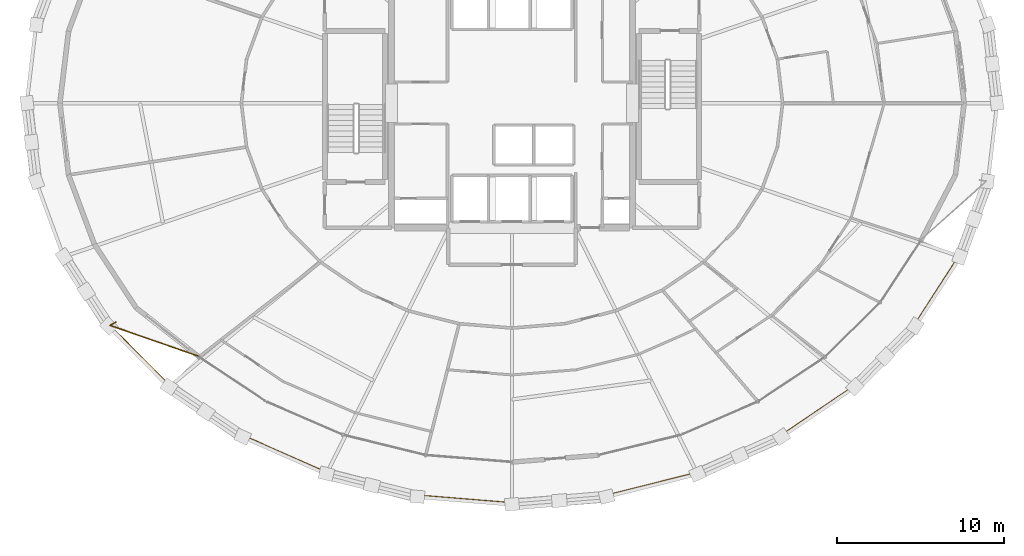
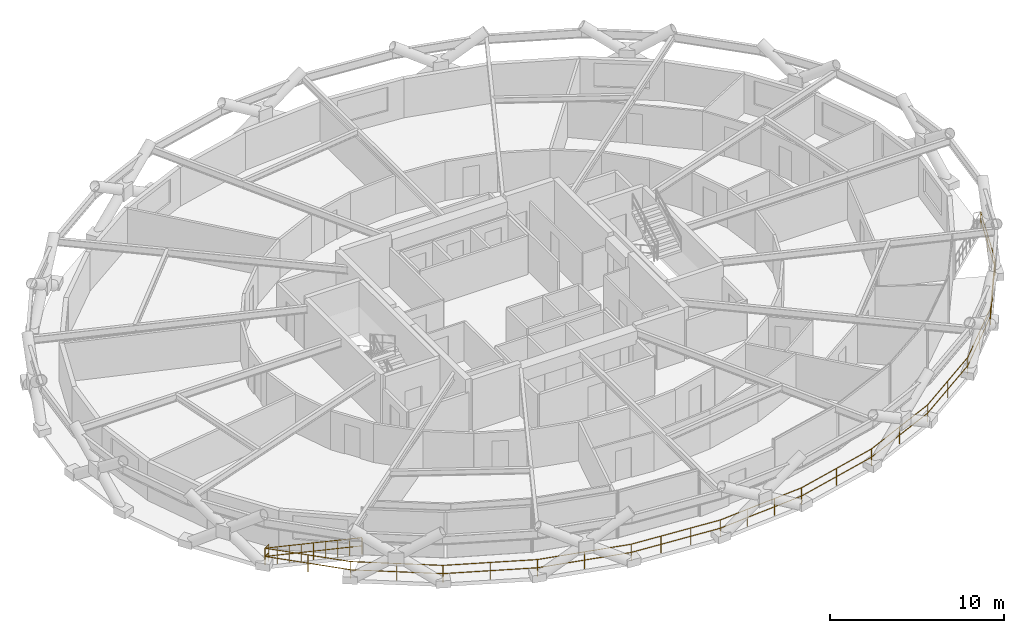
# One storey, part 20 of 21: 2 railings.
"""IFC4 building model written with IfcOpenShell, lengths in metres."""

from ifc_helpers import new_model, si_unit, direction, frame, origin, origin_2d, place, context, subcontext, project, spatial, circle, extrude, material, type_object, element, save


model = new_model("IFC4")

# Units and contexts
model_context = context("Model", 3, precision=1e-05, world=origin(), true_north=direction((0.0, 1.0)))
body_context = subcontext(model_context, "Body", "Model", "MODEL_VIEW")
ifc_project = project(units=[si_unit("LENGTHUNIT", "METRE"), si_unit("AREAUNIT", "SQUARE_METRE"), si_unit("VOLUMEUNIT", "CUBIC_METRE"), si_unit("PLANEANGLEUNIT", "RADIAN"), si_unit("MASSUNIT", "GRAM", prefix="KILO")], contexts=[model_context])

# Site, building, storey
site_placement = place(None, origin())
site = spatial("IfcSite", under=ifc_project, at=site_placement, CompositionType="ELEMENT")
building_placement = place(site_placement, origin())
building = spatial("IfcBuilding", under=site, at=building_placement, Name="Veldorina Hangang Commons", CompositionType="ELEMENT")
storey_placement = place(building_placement, frame((0.0, 0.0, 73.60009765625)))
storey = spatial("IfcBuildingStorey", under=building, at=storey_placement, Name="L18", CompositionType="ELEMENT", Elevation=73.60009765625)

# Railings
ifc_material = material(Name="Glass Laminated Safety Balustrade", Category="glass")
railing_type = type_object("IfcRailingType", Name="RL-BAL-LOGGIA", PredefinedType="BALUSTRADE", material=ifc_material)
railing_1_placement = place(storey_placement, frame((8.356201171875, 10.92919921875, 0.0)))
element("IfcRailing", 1, at=railing_1_placement, inside=storey, type_object=railing_type, Name="L18 sky-garden loggia end balustrade A", PredefinedType="BALUSTRADE", context=body_context, shape_type="SweptSolid", body=[
    extrude(circle(Radius=0.02392578125, at=origin_2d()), frame((0.0, 0.0, 1.17578125), z_axis=(-0.875060223601, -0.484014054621, 0.0), x_axis=(0.484014054621, -0.875060223601, 0.0)), (0.0, 0.0, 1.0), 0.420166015625),
    extrude(circle(Radius=0.02392578125, at=origin_2d()), frame((0.0, 0.0, 0.60009765625), z_axis=(-0.875060223601, -0.484014054621, 0.0), x_axis=(0.484014054621, -0.875060223601, 0.0)), (0.0, 0.0, 1.0), 0.420166015625),
    extrude(circle(Radius=0.02392578125, at=origin_2d()), frame((-0.36767578125, -0.203369140625, 1.17578125), z_axis=(0.944295286815, -0.329099394254, 0.0), x_axis=(0.329099394254, 0.944295286815, 0.0)), (0.0, 0.0, 1.0), 5.66015625),
    extrude(circle(Radius=0.02392578125, at=origin_2d()), frame((-0.36767578125, -0.203369140625, 0.60009765625), z_axis=(0.944295286815, -0.329099394254, 0.0), x_axis=(0.329099394254, 0.944295286815, 0.0)), (0.0, 0.0, 1.0), 5.66015625),
    extrude(circle(Radius=0.02099609375, at=origin_2d()), origin(), (0.0, 0.0, 1.0), 1.15185546875),
    extrude(circle(Radius=0.02099609375, at=origin_2d()), frame((-0.36767578125, -0.203369140625, 0.0)), (0.0, 0.0, 1.0), 1.15185546875),
    extrude(circle(Radius=0.02099609375, at=origin_2d()), frame((0.300537109375, -0.436279296875, 0.0)), (0.0, 0.0, 1.0), 1.15185546875),
    extrude(circle(Radius=0.02099609375, at=origin_2d()), frame((0.968505859375, -0.6689453125, 0.0)), (0.0, 0.0, 1.0), 1.15185546875),
    extrude(circle(Radius=0.02099609375, at=origin_2d()), frame((1.63671875, -0.90185546875, 0.0)), (0.0, 0.0, 1.0), 1.15185546875),
    extrude(circle(Radius=0.02099609375, at=origin_2d()), frame((2.3046875, -1.134765625, 0.0)), (0.0, 0.0, 1.0), 1.15185546875),
    extrude(circle(Radius=0.02099609375, at=origin_2d()), frame((2.972900390625, -1.36767578125, 0.0)), (0.0, 0.0, 1.0), 1.15185546875),
    extrude(circle(Radius=0.02099609375, at=origin_2d()), frame((3.64111328125, -1.6005859375, 0.0)), (0.0, 0.0, 1.0), 1.15185546875),
    extrude(circle(Radius=0.02099609375, at=origin_2d()), frame((4.30908203125, -1.833251953125, 0.0)), (0.0, 0.0, 1.0), 1.15185546875),
    extrude(circle(Radius=0.02099609375, at=origin_2d()), frame((4.977294921875, -2.066162109375, 0.0)), (0.0, 0.0, 1.0), 1.15185546875),
])
railing_2_placement = place(storey_placement, frame((7.988525390625, 10.725830078125, 0.0)))
element("IfcRailing", 2, at=railing_2_placement, inside=storey, type_object=railing_type, Name="L18 sky-garden loggia outer balustrade", PredefinedType="BALUSTRADE", context=body_context, shape_type="SweptSolid", body=[
    extrude(circle(Radius=0.02392578125, at=origin_2d()), frame((0.0, 0.0, 1.17578125), z_axis=(0.704613108033, -0.709591691037, 0.0), x_axis=(0.709591691037, 0.704613108033, 0.0)), (0.0, 0.0, 1.0), 5.099853515625),
    extrude(circle(Radius=0.02392578125, at=origin_2d()), frame((0.0, 0.0, 0.60009765625), z_axis=(0.704613108033, -0.709591691037, 0.0), x_axis=(0.709591691037, 0.704613108033, 0.0)), (0.0, 0.0, 1.0), 5.099853515625),
    extrude(circle(Radius=0.02392578125, at=origin_2d()), frame((3.593505859375, -3.618896484375, 1.17578125), z_axis=(0.82763581785, -0.561265492447, 0.0), x_axis=(0.561265492447, 0.82763581785, 0.0)), (0.0, 0.0, 1.0), 5.289306640625),
    extrude(circle(Radius=0.02392578125, at=origin_2d()), frame((3.593505859375, -3.618896484375, 0.60009765625), z_axis=(0.82763581785, -0.561265492447, 0.0), x_axis=(0.561265492447, 0.82763581785, 0.0)), (0.0, 0.0, 1.0), 5.289306640625),
    extrude(circle(Radius=0.02392578125, at=origin_2d()), frame((7.97119140625, -6.587646484375, 1.17578125), z_axis=(0.914753506229, -0.404012404316, 0.0), x_axis=(0.404012404316, 0.914753506229, 0.0)), (0.0, 0.0, 1.0), 5.4580078125),
    extrude(circle(Radius=0.02392578125, at=origin_2d()), frame((7.97119140625, -6.587646484375, 0.60009765625), z_axis=(0.914753506229, -0.404012404316, 0.0), x_axis=(0.404012404316, 0.914753506229, 0.0)), (0.0, 0.0, 1.0), 5.4580078125),
    extrude(circle(Radius=0.02392578125, at=origin_2d()), frame((12.9638671875, -8.792724609375, 1.17578125), z_axis=(0.969998293343, -0.243111725162, 0.0), x_axis=(0.243111725162, 0.969998293343, 0.0)), (0.0, 0.0, 1.0), 5.58349609375),
    extrude(circle(Radius=0.02392578125, at=origin_2d()), frame((12.9638671875, -8.792724609375, 0.60009765625), z_axis=(0.969998293343, -0.243111725162, 0.0), x_axis=(0.243111725162, 0.969998293343, 0.0)), (0.0, 0.0, 1.0), 5.58349609375),
    extrude(circle(Radius=0.02392578125, at=origin_2d()), frame((18.3798828125, -10.150146484375, 1.17578125), z_axis=(0.996709169364, -0.081060666828, 0.0), x_axis=(0.081060666828, 0.996709169364, 0.0)), (0.0, 0.0, 1.0), 5.650146484375),
    extrude(circle(Radius=0.02392578125, at=origin_2d()), frame((18.3798828125, -10.150146484375, 0.60009765625), z_axis=(0.996709169364, -0.081060666828, 0.0), x_axis=(0.081060666828, 0.996709169364, 0.0)), (0.0, 0.0, 1.0), 5.650146484375),
    extrude(circle(Radius=0.02392578125, at=origin_2d()), frame((24.011474609375, -10.608154296875, 1.17578125), z_axis=(0.996709169364, 0.081060666828, 0.0), x_axis=(-0.081060666828, 0.996709169364, 0.0)), (0.0, 0.0, 1.0), 5.650146484375),
    extrude(circle(Radius=0.02392578125, at=origin_2d()), frame((24.011474609375, -10.608154296875, 0.60009765625), z_axis=(0.996709169364, 0.081060666828, 0.0), x_axis=(-0.081060666828, 0.996709169364, 0.0)), (0.0, 0.0, 1.0), 5.650146484375),
    extrude(circle(Radius=0.02392578125, at=origin_2d()), frame((29.64306640625, -10.150146484375, 1.17578125), z_axis=(0.969998293343, 0.243111725162, 0.0), x_axis=(-0.243111725162, 0.969998293343, 0.0)), (0.0, 0.0, 1.0), 5.58349609375),
    extrude(circle(Radius=0.02392578125, at=origin_2d()), frame((29.64306640625, -10.150146484375, 0.60009765625), z_axis=(0.969998293343, 0.243111725162, 0.0), x_axis=(-0.243111725162, 0.969998293343, 0.0)), (0.0, 0.0, 1.0), 5.58349609375),
    extrude(circle(Radius=0.02392578125, at=origin_2d()), frame((35.05908203125, -8.792724609375, 1.17578125), z_axis=(0.914753506229, 0.404012404316, 0.0), x_axis=(-0.404012404316, 0.914753506229, 0.0)), (0.0, 0.0, 1.0), 5.4580078125),
    extrude(circle(Radius=0.02392578125, at=origin_2d()), frame((35.05908203125, -8.792724609375, 0.60009765625), z_axis=(0.914753506229, 0.404012404316, 0.0), x_axis=(-0.404012404316, 0.914753506229, 0.0)), (0.0, 0.0, 1.0), 5.4580078125),
    extrude(circle(Radius=0.02392578125, at=origin_2d()), frame((40.0517578125, -6.587646484375, 1.17578125), z_axis=(0.82763581785, 0.561265492447, 0.0), x_axis=(-0.561265492447, 0.82763581785, 0.0)), (0.0, 0.0, 1.0), 5.289306640625),
    extrude(circle(Radius=0.02392578125, at=origin_2d()), frame((40.0517578125, -6.587646484375, 0.60009765625), z_axis=(0.82763581785, 0.561265492447, 0.0), x_axis=(-0.561265492447, 0.82763581785, 0.0)), (0.0, 0.0, 1.0), 5.289306640625),
    extrude(circle(Radius=0.02392578125, at=origin_2d()), frame((44.429443359375, -3.618896484375, 1.17578125), z_axis=(0.704613108033, 0.709591691037, 0.0), x_axis=(-0.709591691037, 0.704613108033, 0.0)), (0.0, 0.0, 1.0), 5.099853515625),
    extrude(circle(Radius=0.02392578125, at=origin_2d()), frame((44.429443359375, -3.618896484375, 0.60009765625), z_axis=(0.704613108033, 0.709591691037, 0.0), x_axis=(-0.709591691037, 0.704613108033, 0.0)), (0.0, 0.0, 1.0), 5.099853515625),
    extrude(circle(Radius=0.02392578125, at=origin_2d()), frame((48.02294921875, 0.0, 1.17578125), z_axis=(0.542996038297, 0.839735257324, 0.0), x_axis=(-0.839735257324, 0.542996038297, 0.0)), (0.0, 0.0, 1.0), 4.91845703125),
    extrude(circle(Radius=0.02392578125, at=origin_2d()), frame((48.02294921875, 0.0, 0.60009765625), z_axis=(0.542996038297, 0.839735257324, 0.0), x_axis=(-0.839735257324, 0.542996038297, 0.0)), (0.0, 0.0, 1.0), 4.91845703125),
    extrude(circle(Radius=0.02392578125, at=origin_2d()), frame((50.693603515625, 4.130126953125, 1.17578125), z_axis=(0.344496539869, 0.938787587273, 0.0), x_axis=(-0.938787587273, 0.344496539869, 0.0)), (0.0, 0.0, 1.0), 4.7744140625),
    extrude(circle(Radius=0.02392578125, at=origin_2d()), frame((50.693603515625, 4.130126953125, 0.60009765625), z_axis=(0.344496539869, 0.938787587273, 0.0), x_axis=(-0.938787587273, 0.344496539869, 0.0)), (0.0, 0.0, 1.0), 4.7744140625),
    extrude(circle(Radius=0.02099609375, at=origin_2d()), origin(), (0.0, 0.0, 1.0), 1.15185546875),
    extrude(circle(Radius=0.02099609375, at=origin_2d()), frame((1.796875, -1.8095703125, 0.0)), (0.0, 0.0, 1.0), 1.15185546875),
    extrude(circle(Radius=0.02099609375, at=origin_2d()), frame((3.593505859375, -3.618896484375, 0.0)), (0.0, 0.0, 1.0), 1.15185546875),
    extrude(circle(Radius=0.02099609375, at=origin_2d()), frame((5.7822265625, -5.103271484375, 0.0)), (0.0, 0.0, 1.0), 1.15185546875),
    extrude(circle(Radius=0.02099609375, at=origin_2d()), frame((7.97119140625, -6.587646484375, 0.0)), (0.0, 0.0, 1.0), 1.15185546875),
    extrude(circle(Radius=0.02099609375, at=origin_2d()), frame((10.467529296875, -7.690185546875, 0.0)), (0.0, 0.0, 1.0), 1.15185546875),
    extrude(circle(Radius=0.02099609375, at=origin_2d()), frame((12.9638671875, -8.792724609375, 0.0)), (0.0, 0.0, 1.0), 1.15185546875),
    extrude(circle(Radius=0.02099609375, at=origin_2d()), frame((15.671875, -9.471435546875, 0.0)), (0.0, 0.0, 1.0), 1.15185546875),
    extrude(circle(Radius=0.02099609375, at=origin_2d()), frame((18.3798828125, -10.150146484375, 0.0)), (0.0, 0.0, 1.0), 1.15185546875),
    extrude(circle(Radius=0.02099609375, at=origin_2d()), frame((20.257080078125, -10.302734375, 0.0)), (0.0, 0.0, 1.0), 1.15185546875),
    extrude(circle(Radius=0.02099609375, at=origin_2d()), frame((22.13427734375, -10.45556640625, 0.0)), (0.0, 0.0, 1.0), 1.15185546875),
    extrude(circle(Radius=0.02099609375, at=origin_2d()), frame((24.011474609375, -10.608154296875, 0.0)), (0.0, 0.0, 1.0), 1.15185546875),
    extrude(circle(Radius=0.02099609375, at=origin_2d()), frame((25.888671875, -10.45556640625, 0.0)), (0.0, 0.0, 1.0), 1.15185546875),
    extrude(circle(Radius=0.02099609375, at=origin_2d()), frame((27.765869140625, -10.302734375, 0.0)), (0.0, 0.0, 1.0), 1.15185546875),
    extrude(circle(Radius=0.02099609375, at=origin_2d()), frame((29.64306640625, -10.150146484375, 0.0)), (0.0, 0.0, 1.0), 1.15185546875),
    extrude(circle(Radius=0.02099609375, at=origin_2d()), frame((32.35107421875, -9.471435546875, 0.0)), (0.0, 0.0, 1.0), 1.15185546875),
    extrude(circle(Radius=0.02099609375, at=origin_2d()), frame((35.05908203125, -8.792724609375, 0.0)), (0.0, 0.0, 1.0), 1.15185546875),
    extrude(circle(Radius=0.02099609375, at=origin_2d()), frame((37.555419921875, -7.690185546875, 0.0)), (0.0, 0.0, 1.0), 1.15185546875),
    extrude(circle(Radius=0.02099609375, at=origin_2d()), frame((40.0517578125, -6.587646484375, 0.0)), (0.0, 0.0, 1.0), 1.15185546875),
    extrude(circle(Radius=0.02099609375, at=origin_2d()), frame((42.24072265625, -5.103271484375, 0.0)), (0.0, 0.0, 1.0), 1.15185546875),
    extrude(circle(Radius=0.02099609375, at=origin_2d()), frame((44.429443359375, -3.618896484375, 0.0)), (0.0, 0.0, 1.0), 1.15185546875),
    extrude(circle(Radius=0.02099609375, at=origin_2d()), frame((46.22607421875, -1.8095703125, 0.0)), (0.0, 0.0, 1.0), 1.15185546875),
    extrude(circle(Radius=0.02099609375, at=origin_2d()), frame((48.02294921875, 0.0, 0.0)), (0.0, 0.0, 1.0), 1.15185546875),
    extrude(circle(Radius=0.02099609375, at=origin_2d()), frame((49.3583984375, 2.06494140625, 0.0)), (0.0, 0.0, 1.0), 1.15185546875),
    extrude(circle(Radius=0.02099609375, at=origin_2d()), frame((50.693603515625, 4.130126953125, 0.0)), (0.0, 0.0, 1.0), 1.15185546875),
    extrude(circle(Radius=0.02099609375, at=origin_2d()), frame((51.51611328125, 6.37109375, 0.0)), (0.0, 0.0, 1.0), 1.15185546875),
    extrude(circle(Radius=0.02099609375, at=origin_2d()), frame((52.33837890625, 8.6123046875, 0.0)), (0.0, 0.0, 1.0), 1.15185546875),
])

save(model, "model.ifc")
